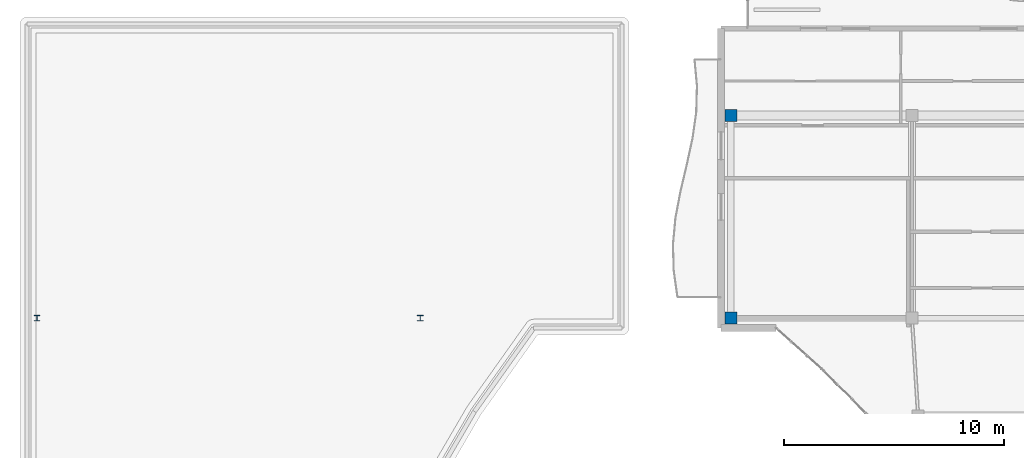
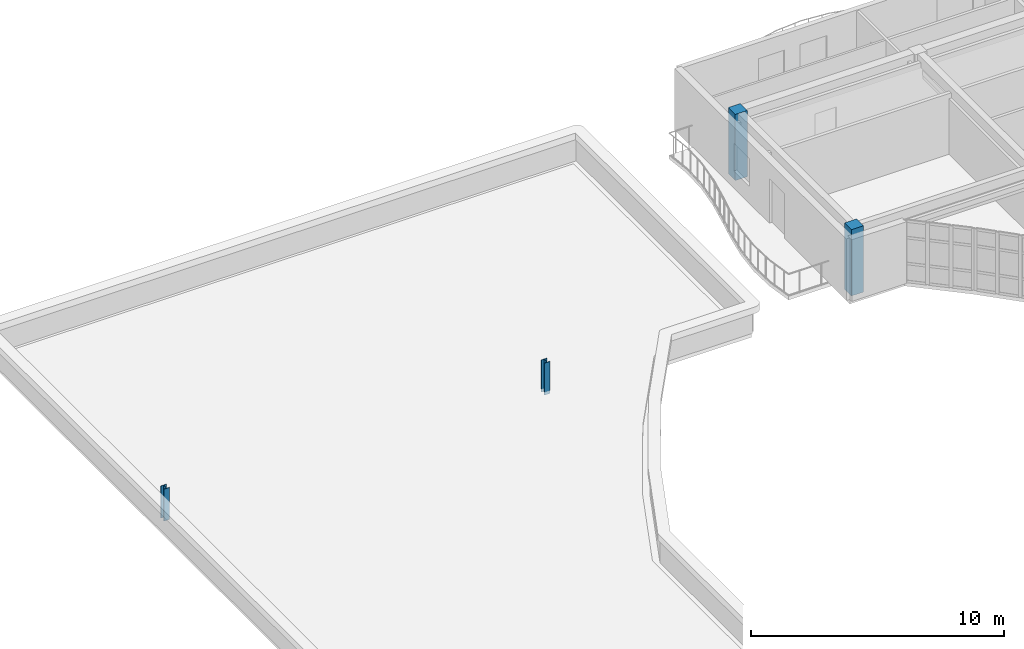
# One storey, part 2 of 54: 4 columns.
"""IFC4 building model written with IfcOpenShell, lengths in metres."""

from ifc_helpers import new_model, si_unit, direction, frame, origin, origin_2d, place, context, subcontext, project, spatial, rectangle, i_section, extrude, material, material_profile, profile_set, type_object, element, save


model = new_model("IFC4")

# Units and contexts
model_context = context("Model", 3, precision=1e-05, world=origin(), true_north=direction((0.0, 1.0)))
body_context = subcontext(model_context, "Body", "Model", "MODEL_VIEW")
ifc_project = project(units=[si_unit("LENGTHUNIT", "METRE"), si_unit("AREAUNIT", "SQUARE_METRE"), si_unit("VOLUMEUNIT", "CUBIC_METRE"), si_unit("PLANEANGLEUNIT", "RADIAN"), si_unit("MASSUNIT", "GRAM", prefix="KILO")], contexts=[model_context])

# Site, building, storey
site_placement = place(None, origin())
site = spatial("IfcSite", under=ifc_project, at=site_placement, CompositionType="ELEMENT")
building_placement = place(site_placement, origin())
building = spatial("IfcBuilding", under=site, at=building_placement, Name="Keldmere Railside Commons", CompositionType="ELEMENT")
storey_placement = place(building_placement, frame((0.0, 0.0, 26.56005859375)))
storey = spatial("IfcBuildingStorey", under=building, at=storey_placement, Name="L08", CompositionType="ELEMENT", Elevation=26.56005859375)

# Columns
ifc_material_1 = material(Name="Steel F-36 (S355)", Category="steel")
ifc_material_profile_1 = material_profile(ifc_material_1, i_section(OverallWidth=0.260009765625, OverallDepth=0.260009765625, WebThickness=0.010009765625, FlangeThickness=0.017578125, at=origin_2d()), Name="HEB-260")
ifc_profile_set_1 = profile_set([ifc_material_profile_1], Name="Steel F-36 (S355)")
column_type_1 = type_object("IfcColumnType", Name="Pavilion Clerestory Steel Post HEB260", PredefinedType="COLUMN", material=ifc_profile_set_1)
for number, where, z_axis, x_axis, name in (
    (1, (8.449951171875, 100.449951171875, 0.0), (0.0, 0.0, 1.0), (1.0, 0.0, 0.0), "SC-3 COL-L08-0080"),
    (2, (25.85009765625, 100.449951171875, 0.0), (0.0, 0.0, 1.0), (1.0, 0.0, 0.0), "SC-3 COL-L08-0255"),
):
    element("IfcColumn", number, at=place(storey_placement, frame(where, z_axis=z_axis, x_axis=x_axis)), inside=storey, type_object=column_type_1, Name=name, PredefinedType="COLUMN", context=body_context, shape_type="SweptSolid", body=[
        extrude(i_section(OverallWidth=0.260009765625, OverallDepth=0.260009765625, WebThickness=0.010009765625, FlangeThickness=0.017578125, at=origin_2d()), origin(), (0.0, 0.0, 1.0), 1.550048828125),
    ])
ifc_material_2 = material(Name="Concrete H-35 (C35/45)", Category="concrete")
ifc_material_profile_2 = material_profile(ifc_material_2, rectangle(XDim=0.550048828125, YDim=0.550048828125, at=origin_2d()), Name="RC-550x550")
ifc_profile_set_2 = profile_set([ifc_material_profile_2], Name="Concrete H-35 (C35/45)")
column_type_2 = type_object("IfcColumnType", Name="Upper-Mid RC Column 550x550", PredefinedType="COLUMN", material=ifc_profile_set_2)
for number, where, z_axis, x_axis, name in (
    (3, (39.949951171875, 100.449951171875, 0.0), (0.0, 0.0, 1.0), (1.0, 0.0, 0.0), "C-550 COL-L08-0344"),
    (4, (39.949951171875, 109.64990234375, 0.0), (0.0, 0.0, 1.0), (1.0, 0.0, 0.0), "C-550 COL-L08-0356"),
):
    element("IfcColumn", number, at=place(storey_placement, frame(where, z_axis=z_axis, x_axis=x_axis)), inside=storey, type_object=column_type_2, Name=name, PredefinedType="COLUMN", context=body_context, shape_type="SweptSolid", body=[
        extrude(rectangle(XDim=0.550048828125, YDim=0.550048828125, at=origin_2d()), origin(), (0.0, 0.0, 1.0), 3.199951171875),
    ])

save(model, "model.ifc")
